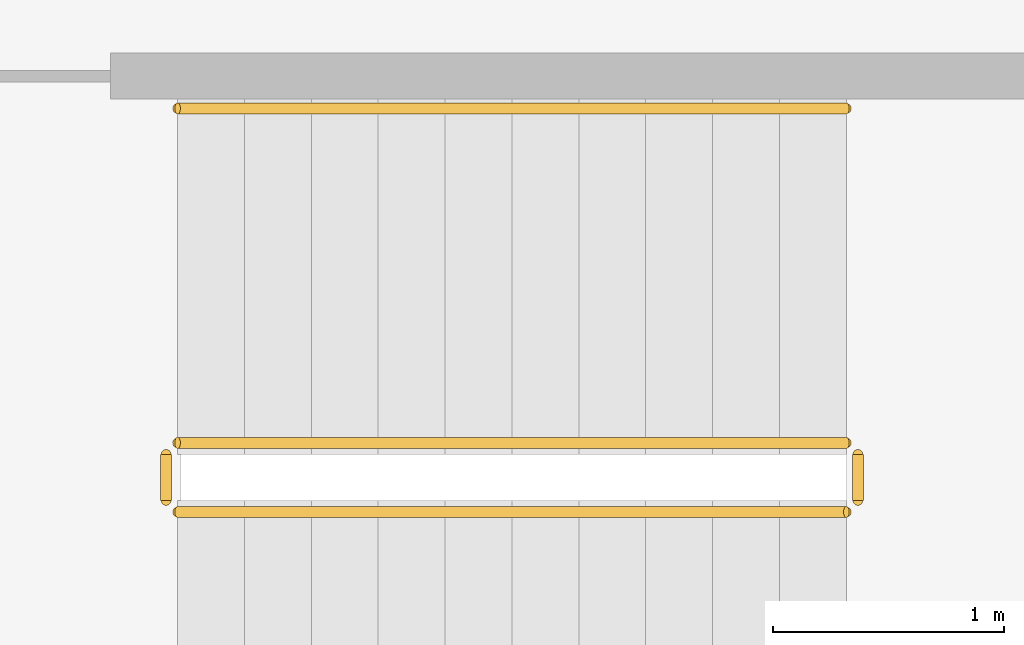
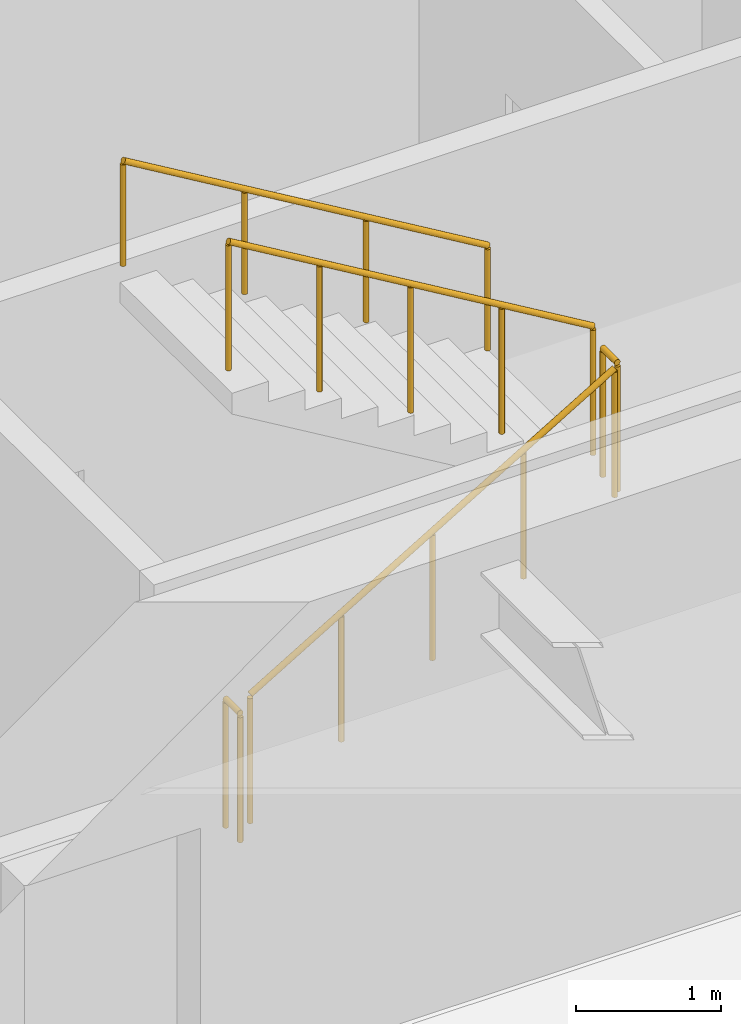
# One storey, part 21 of 22: 5 railings.
"""IFC4 building model written with IfcOpenShell, lengths in metres."""

import ifcopenshell
import ifcopenshell.guid

model = None  # the IFC model being written
_history = None  # IfcOwnerHistory: only IFC2X3 demands one
_inside = {}  # id of a spatial element -> (the spatial element, [elements in it])
_under = {}  # id of a project, library or spatial element -> (it, [spatial elements below it])
_declared = {}  # id of a project -> (the project, [libraries it declares])
_typed = {}  # id of a type object -> (the type object, [elements of that type])
_made_of = {}  # id of a material, layer set ... -> (it, [elements and type objects made of it])


def new_model(schema):
    """Start an empty IFC model of exactly this schema.

    Asked for "IFC4X3", IfcOpenShell would pick the latest addendum, in which some entities
    have other attributes; the version numbers below select the first issue.
    IFC2X3 requires an IfcOwnerHistory on every rooted entity: one is made here for all.
    """
    global model, _history
    if schema == "IFC4X3":
        model = ifcopenshell.file(schema_version=(4, 3, 0, 0))
    else:
        model = ifcopenshell.file(schema=schema)
    _inside.clear()
    _under.clear()
    _declared.clear()
    _typed.clear()
    _made_of.clear()
    _history = None
    if model.schema == "IFC2X3":
        org = make("IfcOrganization", Name="unknown")
        user = make(
            "IfcPersonAndOrganization",
            ThePerson=make("IfcPerson", FamilyName="unknown"),
            TheOrganization=org,
        )
        app = make(
            "IfcApplication",
            ApplicationDeveloper=org,
            Version="unknown",
            ApplicationFullName="unknown",
            ApplicationIdentifier="unknown",
        )
        _history = make(
            "IfcOwnerHistory",
            OwningUser=user,
            OwningApplication=app,
            ChangeAction="ADDED",
            CreationDate=0,
        )
    return model


def make(cls, **values):
    """One entity of the class cls with the attributes given. An attribute that is None is left unset."""
    return model.create_entity(
        cls, **{name: value for name, value in values.items() if value is not None}
    )


def rooted(cls, **values):
    """An entity with a GlobalId (a new one), such as an element, a storey or a relation."""
    return make(cls, GlobalId=ifcopenshell.guid.new(), OwnerHistory=_history, **values)


def si_unit(unit_type, name, prefix=None):
    """IfcSIUnit, for example si_unit("LENGTHUNIT", "METRE", prefix="MILLI")."""
    return make("IfcSIUnit", UnitType=unit_type, Prefix=prefix, Name=name)


def assignment(units):
    """IfcUnitAssignment: the units of a project."""
    return None if units is None else make("IfcUnitAssignment", Units=units)


def point(xyz):
    """IfcCartesianPoint."""
    return None if xyz is None else make("IfcCartesianPoint", Coordinates=xyz)


def direction(xyz):
    """IfcDirection."""
    return None if xyz is None else make("IfcDirection", DirectionRatios=xyz)


def frame(location, z_axis=None, x_axis=None):
    """IfcAxis2Placement3D, a coordinate frame: its origin and axes. An axis left out is left unset."""
    return make(
        "IfcAxis2Placement3D",
        Location=point(location),
        Axis=direction(z_axis),
        RefDirection=direction(x_axis),
    )


def frame_2d(location, x_axis=None):
    """IfcAxis2Placement2D, a coordinate frame in the plane: its origin and x axis."""
    return make(
        "IfcAxis2Placement2D", Location=point(location), RefDirection=direction(x_axis)
    )


def origin():
    """The frame at (0, 0, 0) with its axes left unset."""
    return frame((0.0, 0.0, 0.0))


def origin_2d():
    """The frame at (0, 0) in the plane with its x axis left unset."""
    return frame_2d((0.0, 0.0))


def place(relative_to, where):
    """IfcLocalPlacement: puts the frame where relative to a parent placement (None: the world)."""
    return make(
        "IfcLocalPlacement", PlacementRelTo=relative_to, RelativePlacement=where
    )


def context(
    kind, dimensions, precision=None, world=None, true_north=None, identifier=None
):
    """IfcGeometricRepresentationContext, for example the 3D "Model" context."""
    return make(
        "IfcGeometricRepresentationContext",
        ContextIdentifier=identifier,
        ContextType=kind,
        CoordinateSpaceDimension=dimensions,
        Precision=precision,
        WorldCoordinateSystem=world,
        TrueNorth=true_north,
    )


def subcontext(parent, identifier, kind, view, scale=None):
    """IfcGeometricRepresentationSubContext, for example "Body" below "Model"."""
    return make(
        "IfcGeometricRepresentationSubContext",
        ContextIdentifier=identifier,
        ContextType=kind,
        ParentContext=parent,
        TargetScale=scale,
        TargetView=view,
    )


def project(units=None, contexts=None):
    """IfcProject with its units and contexts."""
    return rooted(
        "IfcProject",
        Name="project",
        RepresentationContexts=contexts,
        UnitsInContext=assignment(units),
    )


def spatial(cls, under=None, at=None, **own):
    """A site, building, storey or space (cls), placed at a placement, below another one or the project."""
    s = rooted(cls, ObjectPlacement=at, **own)
    if under is not None:
        _under.setdefault(under.id(), (under, []))[1].append(s)
    return s


def profile(cls, at=None, kind="AREA", **sizes):
    """A parametric profile (cls). Its sizes go by their IFC names, for example OverallWidth=200.0."""
    return make(cls, ProfileType=kind, Position=at, **sizes)


def circle(**sizes):
    """IfcCircleProfileDef."""
    return profile("IfcCircleProfileDef", **sizes)


def extrude(swept, where, along, depth):
    """IfcExtrudedAreaSolid: the profile swept, set in the frame where, extruded along a direction by depth."""
    return make(
        "IfcExtrudedAreaSolid",
        SweptArea=swept,
        Position=where,
        ExtrudedDirection=direction(along),
        Depth=depth,
    )


def shape(context_of_items, identifier, shape_type, items):
    """IfcShapeRepresentation: the items that make up one representation, for example the "Body"."""
    return make(
        "IfcShapeRepresentation",
        ContextOfItems=context_of_items,
        RepresentationIdentifier=identifier,
        RepresentationType=shape_type,
        Items=items,
    )


def material(Name=None, Category=None):
    """IfcMaterial."""
    return make("IfcMaterial", Name=Name, Category=Category)


def made_of(thing, what):
    """Note that an element or type object is made of a material, layer set ...; save() writes the relation."""
    if what is not None:
        _made_of.setdefault(what.id(), (what, []))[1].append(thing)
    return thing


def type_object(cls, material=None, **own):
    """A type object (cls), such as IfcWallType, which elements share."""
    return made_of(rooted(cls, **own), material)


def element(
    cls,
    number,
    at=None,
    inside=None,
    cuts=None,
    type_object=None,
    material=None,
    context=None,
    identifier="Body",
    shape_type=None,
    held_by="IfcProductDefinitionShape",
    body=None,
    shapes=None,
    **own,
):
    """One element of the class cls, such as IfcWall. Its Tag is "e" and its number.

    at: its placement. inside: the storey or other place that contains it. cuts: it is an
    opening in that element (IfcRelVoidsElement). A single representation is given by context,
    identifier, shape_type and body (its items); several are given by shapes. held_by: the class
    of the entity that holds the representations. save() writes the other relations.
    """
    e = rooted(cls, Tag="e%d" % number, ObjectPlacement=at, **own)
    if body is not None:
        shapes = [shape(context, identifier, shape_type, body)]
    if shapes is not None:
        e.Representation = make(held_by, Representations=shapes)
    if inside is not None:
        _inside.setdefault(inside.id(), (inside, []))[1].append(e)
    if cuts is not None:
        rooted(
            "IfcRelVoidsElement", RelatingBuildingElement=cuts, RelatedOpeningElement=e
        )
    if type_object is not None:
        _typed.setdefault(type_object.id(), (type_object, []))[1].append(e)
    return made_of(e, material)


def aggregate(whole, parts):
    """IfcRelAggregates: a whole, such as a stair, and the parts it consists of."""
    return rooted("IfcRelAggregates", RelatingObject=whole, RelatedObjects=parts)


def save(model, path):
    """Write the relations noted so far, then the file.

    IfcRelAggregates (storeys below a building ...), IfcRelContainedInSpatialStructure (elements
    in a storey), IfcRelDefinesByType, IfcRelAssociatesMaterial and IfcRelDeclares: one each for
    every whole, place, type object, material and project.
    """
    for whole, parts in _under.values():
        aggregate(whole, parts)
    for where, things in _inside.values():
        rooted(
            "IfcRelContainedInSpatialStructure",
            RelatedElements=things,
            RelatingStructure=where,
        )
    for kind, things in _typed.values():
        rooted("IfcRelDefinesByType", RelatedObjects=things, RelatingType=kind)
    for what, things in _made_of.values():
        rooted("IfcRelAssociatesMaterial", RelatedObjects=things, RelatingMaterial=what)
    for by, libraries in _declared.values():
        rooted("IfcRelDeclares", RelatingContext=by, RelatedDefinitions=libraries)
    model.write(path)


model = new_model("IFC4")

# Units and contexts
model_context = context("Model", 3, precision=1e-05, world=origin(), true_north=direction((0.0, 1.0)))
body_context = subcontext(model_context, "Body", "Model", "MODEL_VIEW")
ifc_project = project(units=[si_unit("LENGTHUNIT", "METRE"), si_unit("AREAUNIT", "SQUARE_METRE"), si_unit("VOLUMEUNIT", "CUBIC_METRE"), si_unit("PLANEANGLEUNIT", "RADIAN"), si_unit("MASSUNIT", "GRAM", prefix="KILO")], contexts=[model_context])

# Site, building, storey
site_placement = place(None, origin())
site = spatial("IfcSite", under=ifc_project, at=site_placement, CompositionType="ELEMENT")
building_placement = place(site_placement, origin())
building = spatial("IfcBuilding", under=site, at=building_placement, Name="Putna Gate Headquarters", CompositionType="ELEMENT")
storey_placement = place(building_placement, frame((0.0, 0.0, 155.60009765625)))
storey = spatial("IfcBuildingStorey", under=building, at=storey_placement, Name="L38", CompositionType="ELEMENT", Elevation=155.60009765625)

# Railings
ifc_material_1 = material(Name="Powder-coated steel stair guardrail", Category="steel")
railing_type_1 = type_object("IfcRailingType", Name="RAIL-STAIR-GUARD-1100", PredefinedType="GUARDRAIL", material=ifc_material_1)
railing_1_placement = place(storey_placement, frame((57.89990234375, 21.10009765625, 0.172607421875)))
element("IfcRailing", 1, at=railing_1_placement, inside=storey, type_object=railing_type_1, Name="L38 ST2 stair guard 1", PredefinedType="GUARDRAIL", context=body_context, shape_type="SweptSolid", body=[
    extrude(circle(Radius=0.02392578125, at=origin_2d()), frame((0.0, 0.0, 1.076171875), z_axis=(0.859160404282, 0.0, 0.51170636083), x_axis=(0.0, 1.0, 0.0)), (0.0, 0.0, 1.0), 3.37548828125),
    extrude(circle(Radius=0.02099609375, at=origin_2d()), origin(), (0.0, 0.0, 1.0), 1.052001953125),
    extrude(circle(Radius=0.02099609375, at=origin_2d()), frame((0.72509765625, 0.0, 0.431884765625)), (0.0, 0.0, 1.0), 1.052001953125),
    extrude(circle(Radius=0.02099609375, at=origin_2d()), frame((1.4501953125, 0.0, 0.86376953125)), (0.0, 0.0, 1.0), 1.052001953125),
    extrude(circle(Radius=0.02099609375, at=origin_2d()), frame((2.175048828125, 0.0, 1.29541015625)), (0.0, 0.0, 1.0), 1.052001953125),
    extrude(circle(Radius=0.02099609375, at=origin_2d()), frame((2.900146484375, 0.0, 1.727294921875)), (0.0, 0.0, 1.0), 1.052001953125),
])
railing_2_placement = place(storey_placement, frame((60.85009765625, 21.14990234375, 1.89990234375)))
element("IfcRailing", 2, at=railing_2_placement, inside=storey, type_object=railing_type_1, Name="L38 ST2 stair guard 2", PredefinedType="GUARDRAIL", context=body_context, shape_type="SweptSolid", body=[
    extrude(circle(Radius=0.02392578125, at=origin_2d()), frame((0.0, 0.0, 1.076171875), z_axis=(0.0, 1.0, 0.0), x_axis=(-1.0, 0.0, 0.0)), (0.0, 0.0, 1.0), 0.2001953125),
    extrude(circle(Radius=0.02099609375, at=origin_2d()), origin(), (0.0, 0.0, 1.0), 1.052001953125),
    extrude(circle(Radius=0.02099609375, at=origin_2d()), frame((0.0, 0.2001953125, 0.0)), (0.0, 0.0, 1.0), 1.052001953125),
])
railing_3_placement = place(storey_placement, frame((60.800048828125, 21.39990234375, 2.072509765625)))
element("IfcRailing", 3, at=railing_3_placement, inside=storey, type_object=railing_type_1, Name="L38 ST2 stair guard 3", PredefinedType="GUARDRAIL", context=body_context, shape_type="SweptSolid", body=[
    extrude(circle(Radius=0.02392578125, at=origin_2d()), frame((0.0, 0.0, 1.076171875), z_axis=(-0.859160404282, 0.0, 0.51170636083), x_axis=(0.0, -1.0, 0.0)), (0.0, 0.0, 1.0), 3.37548828125),
    extrude(circle(Radius=0.02099609375, at=origin_2d()), origin(), (0.0, 0.0, 1.0), 1.052001953125),
    extrude(circle(Radius=0.02099609375, at=origin_2d()), frame((-0.72509765625, 0.0, 0.431884765625)), (0.0, 0.0, 1.0), 1.052001953125),
    extrude(circle(Radius=0.02099609375, at=origin_2d()), frame((-1.4501953125, 0.0, 0.86376953125)), (0.0, 0.0, 1.0), 1.052001953125),
    extrude(circle(Radius=0.02099609375, at=origin_2d()), frame((-2.175048828125, 0.0, 1.29541015625)), (0.0, 0.0, 1.0), 1.052001953125),
    extrude(circle(Radius=0.02099609375, at=origin_2d()), frame((-2.900146484375, 0.0, 1.727294921875)), (0.0, 0.0, 1.0), 1.052001953125),
])
railing_4_placement = place(storey_placement, frame((57.85009765625, 21.14990234375, 0.0)))
element("IfcRailing", 4, at=railing_4_placement, inside=storey, type_object=railing_type_1, Name="L38 ST2 stair guard 4", PredefinedType="GUARDRAIL", context=body_context, shape_type="SweptSolid", body=[
    extrude(circle(Radius=0.02392578125, at=origin_2d()), frame((0.0, 0.0, 1.076171875), z_axis=(0.0, 1.0, 0.0), x_axis=(-1.0, 0.0, 0.0)), (0.0, 0.0, 1.0), 0.2001953125),
    extrude(circle(Radius=0.02099609375, at=origin_2d()), origin(), (0.0, 0.0, 1.0), 1.052001953125),
    extrude(circle(Radius=0.02099609375, at=origin_2d()), frame((0.0, 0.2001953125, 0.0)), (0.0, 0.0, 1.0), 1.052001953125),
])
ifc_material_2 = material(Name="Brushed stainless steel handrail", Category="steel")
railing_type_2 = type_object("IfcRailingType", Name="RAIL-STAIR-HAND-900", PredefinedType="HANDRAIL", material=ifc_material_2)
railing_5_placement = place(storey_placement, frame((60.800048828125, 22.85009765625, 2.072509765625)))
element("IfcRailing", 5, at=railing_5_placement, inside=storey, type_object=railing_type_2, Name="L38 ST2 stair handrail 2", PredefinedType="HANDRAIL", context=body_context, shape_type="SweptSolid", body=[
    extrude(circle(Radius=0.02392578125, at=origin_2d()), frame((0.0, 0.0, 0.8759765625), z_axis=(-0.859160404282, 0.0, 0.51170636083), x_axis=(0.0, -1.0, 0.0)), (0.0, 0.0, 1.0), 3.37548828125),
    extrude(circle(Radius=0.02099609375, at=origin_2d()), origin(), (0.0, 0.0, 1.0), 0.851806640625),
    extrude(circle(Radius=0.02099609375, at=origin_2d()), frame((-0.966796875, 0.0, 0.57568359375)), (0.0, 0.0, 1.0), 0.851806640625),
    extrude(circle(Radius=0.02099609375, at=origin_2d()), frame((-1.933349609375, 0.0, 1.151611328125)), (0.0, 0.0, 1.0), 0.851806640625),
    extrude(circle(Radius=0.02099609375, at=origin_2d()), frame((-2.900146484375, 0.0, 1.727294921875)), (0.0, 0.0, 1.0), 0.851806640625),
])

save(model, "model.ifc")
